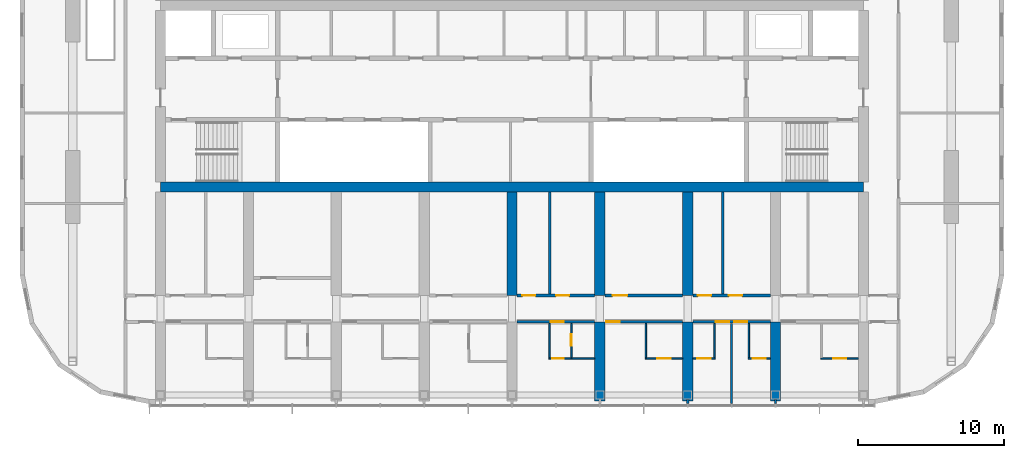
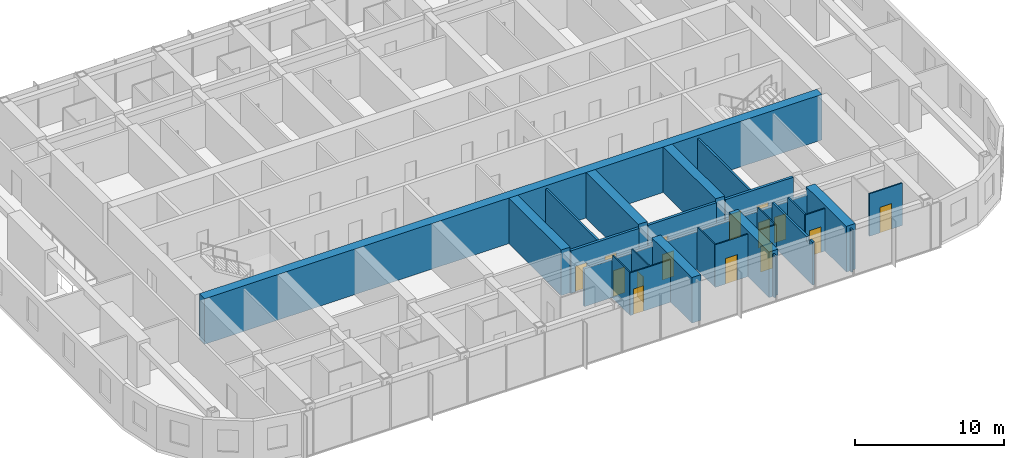
# One storey, part 12 of 23: 28 walls, 15 doors, 15 openings.
"""IFC4 building model written with IfcOpenShell, lengths in metres."""

from ifc_helpers import new_model, si_unit, direction, frame, frame_2d, origin, place, context, subcontext, project, spatial, polyline, rectangle, outline, extrude, material, layer, layer_set, type_object, element, fill, save


model = new_model("IFC4")

# Units and contexts
model_context = context("Model", 3, precision=1e-05, world=origin(), true_north=direction((0.0, 1.0)))
body_context = subcontext(model_context, "Body", "Model", "MODEL_VIEW")
ifc_project = project(units=[si_unit("LENGTHUNIT", "METRE"), si_unit("AREAUNIT", "SQUARE_METRE"), si_unit("VOLUMEUNIT", "CUBIC_METRE"), si_unit("PLANEANGLEUNIT", "RADIAN"), si_unit("MASSUNIT", "GRAM", prefix="KILO")], contexts=[model_context])

# Site, building, storey
site_placement = place(None, origin())
site = spatial("IfcSite", under=ifc_project, at=site_placement, CompositionType="ELEMENT")
building_placement = place(site_placement, origin())
building = spatial("IfcBuilding", under=site, at=building_placement, Name="Orbita Commons", CompositionType="ELEMENT")
storey_placement = place(building_placement, frame((0.0, 0.0, 220.300048828125)))
storey = spatial("IfcBuildingStorey", under=building, at=storey_placement, Name="L54", CompositionType="ELEMENT", Elevation=220.300048828125)

# Wall
ifc_material_1 = material(Name="Concrete C50/60", Category="concrete")
ifc_layer_1 = layer(ifc_material_1, 0.699951171875)
ifc_layer_set_1 = layer_set([ifc_layer_1], Name="Concrete C50/60")
wall_type_1 = type_object("IfcWallType", Name="Core wall 700 C50/60", PredefinedType="SHEAR", material=ifc_layer_set_1)
wall_1_placement = place(storey_placement, frame((18.0, 25.800048828125, 0.0), z_axis=(0.0, 0.0, 1.0), x_axis=(1.0, 0.0, 0.0)))
element("IfcWall", 1, at=wall_1_placement, inside=storey, type_object=wall_type_1, Name="Core spine wall south L54", PredefinedType="SHEAR", context=body_context, shape_type="SweptSolid", body=[
    extrude(rectangle(XDim=48.0, YDim=0.699951171875, at=frame_2d((24.0, 0.0))), origin(), (0.0, 0.0, 1.0), 3.75),
])

# Wall, opening, door
ifc_material_2 = material(Name="Concrete blockwork", Category="masonry")
ifc_layer_2 = layer(ifc_material_2, 0.199951171875)
ifc_layer_set_2 = layer_set([ifc_layer_2], Name="Concrete blockwork")
wall_type_2 = type_object("IfcWallType", Name="Corridor wall 200 blockwork", PredefinedType="SOLIDWALL", material=ifc_layer_set_2)
wall_2_placement = place(storey_placement, frame((42.35009765625, 16.60009765625, 0.0), z_axis=(0.0, 0.0, 1.0), x_axis=(1.0, 0.0, 0.0)))
wall_2 = element("IfcWall", 2, at=wall_2_placement, inside=storey, type_object=wall_type_2, Name="Corridor wall 200 blockwork L54", PredefinedType="SOLIDWALL", context=body_context, shape_type="SweptSolid", body=[
    extrude(outline(polyline([(0.0, 0.0), (5.2998046875, 0.0), (5.300048828125, 3.099853515625), (0.0, 3.099853515625), (0.0, 0.0)])), frame((0.0, 0.10009765625, 0.0), z_axis=(0.0, -1.0, 0.0), x_axis=(1.0, 0.0, 0.0)), (0.0, 0.0, 1.0), 0.199951171875),
])
opening_1_placement = place(wall_2_placement, frame((2.300048828125, 0.0, 0.0)))
opening_1 = element("IfcOpeningElement", 3, at=opening_1_placement, cuts=wall_2, Name="Opening D11", PredefinedType="OPENING", context=body_context, shape_type="SweptSolid", body=[
    extrude(rectangle(XDim=0.89990234375, YDim=2.10009765625, at=frame_2d((0.449951171875, 1.050048828125))), frame((0.0, 0.10986328125, 0.0), z_axis=(0.0, -1.0, 0.0), x_axis=(1.0, 0.0, 0.0)), (0.0, 0.0, 1.0), 0.219970703125),
])
ifc_material_3 = material(Name="Steel-faced fire door leaf", Category="steel")
door_type_1 = type_object("IfcDoorType", Name="Corridor door 20 min 900x2100", OperationType="SINGLE_SWING_LEFT", PredefinedType="DOOR", material=ifc_material_3)
door_1_placement = place(opening_1_placement, origin())
door_1 = element("IfcDoor", 4, at=door_1_placement, inside=storey, type_object=door_type_1, Name="Studio flat L54-S08 entrance door", OperationType="SINGLE_SWING_LEFT", OverallHeight=2.10009765625, OverallWidth=0.89990234375, PredefinedType="DOOR", context=body_context, shape_type="SweptSolid", body=[
    extrude(rectangle(XDim=0.89990234375, YDim=2.10009765625, at=frame_2d((0.449951171875, 1.050048828125))), frame((0.0, 0.02490234375, 0.0), z_axis=(0.0, -1.0, 0.0), x_axis=(1.0, 0.0, 0.0)), (0.0, 0.0, 1.0), 0.050048828125),
])
fill(opening_1, door_1)

wall_3_placement = place(storey_placement, frame((48.35009765625, 16.60009765625, 0.0), z_axis=(0.0, 0.0, 1.0), x_axis=(1.0, 0.0, 0.0)))
wall_3 = element("IfcWall", 5, at=wall_3_placement, inside=storey, type_object=wall_type_2, Name="Corridor wall 200 blockwork L54", PredefinedType="SOLIDWALL", context=body_context, shape_type="SweptSolid", body=[
    extrude(outline(polyline([(0.0, 0.0), (5.2998046875, 0.0), (5.300048828125, 3.099853515625), (0.0, 3.099853515625), (0.0, 0.0)])), frame((0.0, 0.10009765625, 0.0), z_axis=(0.0, -1.0, 0.0), x_axis=(1.0, 0.0, 0.0)), (0.0, 0.0, 1.0), 0.199951171875),
])
opening_2_placement = place(wall_3_placement, frame((0.10009765625, 0.0, 0.0)))
opening_2 = element("IfcOpeningElement", 6, at=opening_2_placement, cuts=wall_3, Name="Opening D11", PredefinedType="OPENING", context=body_context, shape_type="SweptSolid", body=[
    extrude(rectangle(XDim=0.89990234375, YDim=2.10009765625, at=frame_2d((0.449951171875, 1.050048828125))), frame((0.0, 0.10986328125, 0.0), z_axis=(0.0, -1.0, 0.0), x_axis=(1.0, 0.0, 0.0)), (0.0, 0.0, 1.0), 0.219970703125),
])
door_2_placement = place(opening_2_placement, origin())
door_2 = element("IfcDoor", 7, at=door_2_placement, inside=storey, type_object=door_type_1, Name="Studio apartment with kitchenette L54-S10 door", OperationType="SINGLE_SWING_LEFT", OverallHeight=2.10009765625, OverallWidth=0.89990234375, PredefinedType="DOOR", context=body_context, shape_type="SweptSolid", body=[
    extrude(rectangle(XDim=0.89990234375, YDim=2.10009765625, at=frame_2d((0.449951171875, 1.050048828125))), frame((0.0, 0.02490234375, 0.0), z_axis=(0.0, -1.0, 0.0), x_axis=(1.0, 0.0, 0.0)), (0.0, 0.0, 1.0), 0.050048828125),
])
fill(opening_2, door_2)

# Wall, openings, doors
wall_4_placement = place(storey_placement, frame((54.35009765625, 16.60009765625, 0.0), z_axis=(0.0, 0.0, 1.0), x_axis=(1.0, 0.0, 0.0)))
wall_4 = element("IfcWall", 8, at=wall_4_placement, inside=storey, type_object=wall_type_2, Name="Corridor wall 200 blockwork L54", PredefinedType="SOLIDWALL", context=body_context, shape_type="SweptSolid", body=[
    extrude(outline(polyline([(0.0, 0.0), (5.2998046875, 0.0), (5.300048828125, 3.099853515625), (0.0, 3.099853515625), (0.0, 0.0)])), frame((0.0, 0.10009765625, 0.0), z_axis=(0.0, -1.0, 0.0), x_axis=(1.0, 0.0, 0.0)), (0.0, 0.0, 1.0), 0.199951171875),
])
opening_3_placement = place(wall_4_placement, frame((1.574951171875, 0.0, 0.0)))
opening_3 = element("IfcOpeningElement", 9, at=opening_3_placement, cuts=wall_4, Name="Opening D11", PredefinedType="OPENING", context=body_context, shape_type="SweptSolid", body=[
    extrude(rectangle(XDim=0.89990234375, YDim=2.10009765625, at=frame_2d((0.449951171875, 1.050048828125))), frame((0.0, 0.10986328125, 0.0), z_axis=(0.0, -1.0, 0.0), x_axis=(1.0, 0.0, 0.0)), (0.0, 0.0, 1.0), 0.219970703125),
])
opening_4_placement = place(wall_4_placement, frame((2.824951171875, 0.0, 0.0)))
opening_4 = element("IfcOpeningElement", 10, at=opening_4_placement, cuts=wall_4, Name="Opening D11", PredefinedType="OPENING", context=body_context, shape_type="SweptSolid", body=[
    extrude(rectangle(XDim=0.89990234375, YDim=2.10009765625, at=frame_2d((0.449951171875, 1.050048828125))), frame((0.0, 0.10986328125, 0.0), z_axis=(0.0, -1.0, 0.0), x_axis=(1.0, 0.0, 0.0)), (0.0, 0.0, 1.0), 0.219970703125),
])
door_3_placement = place(opening_3_placement, origin())
door_3 = element("IfcDoor", 11, at=door_3_placement, inside=storey, type_object=door_type_1, Name="Cluster bedroom L54-S12 door", OperationType="SINGLE_SWING_LEFT", OverallHeight=2.10009765625, OverallWidth=0.89990234375, PredefinedType="DOOR", context=body_context, shape_type="SweptSolid", body=[
    extrude(rectangle(XDim=0.89990234375, YDim=2.10009765625, at=frame_2d((0.449951171875, 1.050048828125))), frame((0.0, 0.02490234375, 0.0), z_axis=(0.0, -1.0, 0.0), x_axis=(1.0, 0.0, 0.0)), (0.0, 0.0, 1.0), 0.050048828125),
])
fill(opening_3, door_3)
door_4_placement = place(opening_4_placement, origin())
door_4 = element("IfcDoor", 12, at=door_4_placement, inside=storey, type_object=door_type_1, Name="Cluster bedroom L54-S13 door", OperationType="SINGLE_SWING_LEFT", OverallHeight=2.10009765625, OverallWidth=0.89990234375, PredefinedType="DOOR", context=body_context, shape_type="SweptSolid", body=[
    extrude(rectangle(XDim=0.89990234375, YDim=2.10009765625, at=frame_2d((0.449951171875, 1.050048828125))), frame((0.0, 0.02490234375, 0.0), z_axis=(0.0, -1.0, 0.0), x_axis=(1.0, 0.0, 0.0)), (0.0, 0.0, 1.0), 0.050048828125),
])
fill(opening_4, door_4)

ifc_material_4 = material(Name="Hollow concrete block 200", Category="concrete")
ifc_layer_3 = layer(ifc_material_4, 0.199951171875)
ifc_layer_set_3 = layer_set([ifc_layer_3], Name="Hollow concrete block 200")
wall_type_3 = type_object("IfcWallType", Name="Corridor wall 200 hollow concrete block", PredefinedType="SOLIDWALL", material=ifc_layer_set_3)
wall_5_placement = place(storey_placement, frame((42.35009765625, 18.39990234375, 0.0), z_axis=(0.0, 0.0, 1.0), x_axis=(1.0, 0.0, 0.0)))
wall_5 = element("IfcWall", 13, at=wall_5_placement, inside=storey, type_object=wall_type_3, Name="Corridor wall 200 hollow concrete block L54", PredefinedType="SOLIDWALL", context=body_context, shape_type="SweptSolid", body=[
    extrude(rectangle(XDim=5.2998046875, YDim=0.199951171875, at=frame_2d((2.64990234375, 0.0))), origin(), (0.0, 0.0, 1.0), 3.5),
])
opening_5_placement = place(wall_5_placement, frame((0.35009765625, 0.0, 0.0)))
opening_5 = element("IfcOpeningElement", 14, at=opening_5_placement, cuts=wall_5, Name="Opening D11", PredefinedType="OPENING", context=body_context, shape_type="SweptSolid", body=[
    extrude(rectangle(XDim=0.89990234375, YDim=2.10009765625, at=frame_2d((0.449951171875, 1.050048828125))), frame((0.0, 0.10986328125, 0.0), z_axis=(0.0, -1.0, 0.0), x_axis=(1.0, 0.0, 0.0)), (0.0, 0.0, 1.0), 0.219970703125),
])
opening_6_placement = place(wall_5_placement, frame((2.655029296875, 0.0, 0.0)))
opening_6 = element("IfcOpeningElement", 15, at=opening_6_placement, cuts=wall_5, Name="Opening D11", PredefinedType="OPENING", context=body_context, shape_type="SweptSolid", body=[
    extrude(rectangle(XDim=0.89990234375, YDim=2.10009765625, at=frame_2d((0.449951171875, 1.050048828125))), frame((0.0, 0.10986328125, 0.0), z_axis=(0.0, -1.0, 0.0), x_axis=(1.0, 0.0, 0.0)), (0.0, 0.0, 1.0), 0.219970703125),
])
door_5_placement = place(opening_5_placement, origin())
door_5 = element("IfcDoor", 16, at=door_5_placement, inside=storey, type_object=door_type_1, Name="Equipment store L54-BDS42n door", OperationType="SINGLE_SWING_LEFT", OverallHeight=2.10009765625, OverallWidth=0.89990234375, PredefinedType="DOOR", context=body_context, shape_type="SweptSolid", body=[
    extrude(rectangle(XDim=0.89990234375, YDim=2.10009765625, at=frame_2d((0.449951171875, 1.050048828125))), frame((0.0, 0.02490234375, 0.0), z_axis=(0.0, -1.0, 0.0), x_axis=(1.0, 0.0, 0.0)), (0.0, 0.0, 1.0), 0.050048828125),
])
fill(opening_5, door_5)
door_6_placement = place(opening_6_placement, origin())
door_6 = element("IfcDoor", 17, at=door_6_placement, inside=storey, type_object=door_type_1, Name="Interview room L54-BDS42 door", OperationType="SINGLE_SWING_LEFT", OverallHeight=2.10009765625, OverallWidth=0.89990234375, PredefinedType="DOOR", context=body_context, shape_type="SweptSolid", body=[
    extrude(rectangle(XDim=0.89990234375, YDim=2.10009765625, at=frame_2d((0.449951171875, 1.050048828125))), frame((0.0, 0.02490234375, 0.0), z_axis=(0.0, -1.0, 0.0), x_axis=(1.0, 0.0, 0.0)), (0.0, 0.0, 1.0), 0.050048828125),
])
fill(opening_6, door_6)

# Wall, opening, door
wall_6_placement = place(storey_placement, frame((48.35009765625, 18.39990234375, 0.0), z_axis=(0.0, 0.0, 1.0), x_axis=(1.0, 0.0, 0.0)))
wall_6 = element("IfcWall", 18, at=wall_6_placement, inside=storey, type_object=wall_type_3, Name="Corridor wall 200 hollow concrete block L54", PredefinedType="SOLIDWALL", context=body_context, shape_type="SweptSolid", body=[
    extrude(rectangle(XDim=5.2998046875, YDim=0.199951171875, at=frame_2d((2.64990234375, 0.0))), origin(), (0.0, 0.0, 1.0), 3.5),
])
opening_7_placement = place(wall_6_placement, frame((0.52490234375, 0.0, 0.0)))
opening_7 = element("IfcOpeningElement", 19, at=opening_7_placement, cuts=wall_6, Name="Opening D06", PredefinedType="OPENING", context=body_context, shape_type="SweptSolid", body=[
    extrude(rectangle(XDim=1.0, YDim=2.10009765625, at=frame_2d((0.5, 1.050048828125))), frame((0.0, 0.10986328125, 0.0), z_axis=(0.0, -1.0, 0.0), x_axis=(1.0, 0.0, 0.0)), (0.0, 0.0, 1.0), 0.219970703125),
])
ifc_material_5 = material(Name="Steel-faced fire door leaf", Category="steel")
door_type_2 = type_object("IfcDoorType", Name="Corridor door 20 min 1000x2100", OperationType="SINGLE_SWING_LEFT", PredefinedType="DOOR", material=ifc_material_5)
door_7_placement = place(opening_7_placement, origin())
door_7 = element("IfcDoor", 20, at=door_7_placement, inside=storey, type_object=door_type_2, Name="Electrical and data room L54-BDS48 door", OperationType="SINGLE_SWING_LEFT", OverallHeight=2.10009765625, OverallWidth=1.0, PredefinedType="DOOR", context=body_context, shape_type="SweptSolid", body=[
    extrude(rectangle(XDim=1.0, YDim=2.10009765625, at=frame_2d((0.5, 1.050048828125))), frame((0.0, 0.02490234375, 0.0), z_axis=(0.0, -1.0, 0.0), x_axis=(1.0, 0.0, 0.0)), (0.0, 0.0, 1.0), 0.050048828125),
])
fill(opening_7, door_7)

# Wall, openings, doors
wall_7_placement = place(storey_placement, frame((54.35009765625, 18.39990234375, 0.0), z_axis=(0.0, 0.0, 1.0), x_axis=(1.0, 0.0, 0.0)))
wall_7 = element("IfcWall", 21, at=wall_7_placement, inside=storey, type_object=wall_type_3, Name="Corridor wall 200 hollow concrete block L54", PredefinedType="SOLIDWALL", context=body_context, shape_type="SweptSolid", body=[
    extrude(rectangle(XDim=5.2998046875, YDim=0.199951171875, at=frame_2d((2.64990234375, 0.0))), origin(), (0.0, 0.0, 1.0), 3.5),
])
opening_8_placement = place(wall_7_placement, frame((0.35009765625, 0.0, 0.0)))
opening_8 = element("IfcOpeningElement", 22, at=opening_8_placement, cuts=wall_7, Name="Opening D11", PredefinedType="OPENING", context=body_context, shape_type="SweptSolid", body=[
    extrude(rectangle(XDim=0.89990234375, YDim=2.10009765625, at=frame_2d((0.449951171875, 1.050048828125))), frame((0.0, 0.10986328125, 0.0), z_axis=(0.0, -1.0, 0.0), x_axis=(1.0, 0.0, 0.0)), (0.0, 0.0, 1.0), 0.219970703125),
])
opening_9_placement = place(wall_7_placement, frame((2.465087890625, 0.0, 0.0)))
opening_9 = element("IfcOpeningElement", 23, at=opening_9_placement, cuts=wall_7, Name="Opening D11", PredefinedType="OPENING", context=body_context, shape_type="SweptSolid", body=[
    extrude(rectangle(XDim=0.89990234375, YDim=2.10009765625, at=frame_2d((0.449951171875, 1.050048828125))), frame((0.0, 0.10986328125, 0.0), z_axis=(0.0, -1.0, 0.0), x_axis=(1.0, 0.0, 0.0)), (0.0, 0.0, 1.0), 0.219970703125),
])
door_8_placement = place(opening_8_placement, origin())
door_8 = element("IfcDoor", 24, at=door_8_placement, inside=storey, type_object=door_type_1, Name="Luggage store L54-BDS54n door", OperationType="SINGLE_SWING_LEFT", OverallHeight=2.10009765625, OverallWidth=0.89990234375, PredefinedType="DOOR", context=body_context, shape_type="SweptSolid", body=[
    extrude(rectangle(XDim=0.89990234375, YDim=2.10009765625, at=frame_2d((0.449951171875, 1.050048828125))), frame((0.0, 0.02490234375, 0.0), z_axis=(0.0, -1.0, 0.0), x_axis=(1.0, 0.0, 0.0)), (0.0, 0.0, 1.0), 0.050048828125),
])
fill(opening_8, door_8)
door_9_placement = place(opening_9_placement, origin())
door_9 = element("IfcDoor", 25, at=door_9_placement, inside=storey, type_object=door_type_1, Name="Ventilation plant room south L54-BDS54 door", OperationType="SINGLE_SWING_LEFT", OverallHeight=2.10009765625, OverallWidth=0.89990234375, PredefinedType="DOOR", context=body_context, shape_type="SweptSolid", body=[
    extrude(rectangle(XDim=0.89990234375, YDim=2.10009765625, at=frame_2d((0.449951171875, 1.050048828125))), frame((0.0, 0.02490234375, 0.0), z_axis=(0.0, -1.0, 0.0), x_axis=(1.0, 0.0, 0.0)), (0.0, 0.0, 1.0), 0.050048828125),
])
fill(opening_9, door_9)

# Walls
ifc_material_6 = material(Name="Concrete C50/60", Category="concrete")
ifc_layer_4 = layer(ifc_material_6, 0.699951171875)
ifc_layer_set_4 = layer_set([ifc_layer_4], Name="Concrete C50/60")
wall_type_4 = type_object("IfcWallType", Name="Cross wall 700 C50/60", PredefinedType="SHEAR", material=ifc_layer_set_4)
wall_8_placement = place(storey_placement, frame((42.0, 18.39990234375, 0.0), z_axis=(0.0, 0.0, 1.0), x_axis=(0.0, 1.0, 0.0)))
element("IfcWall", 26, at=wall_8_placement, inside=storey, type_object=wall_type_4, Name="Cross wall 8 south inner L54", PredefinedType="SHEAR", context=body_context, shape_type="SweptSolid", body=[
    extrude(rectangle(XDim=7.050048828125, YDim=0.699951171875, at=frame_2d((3.52490234375, 0.0))), origin(), (0.0, 0.0, 1.0), 3.75),
])
wall_9_placement = place(storey_placement, frame((48.0, 11.199951171875, 0.0), z_axis=(0.0, 0.0, 1.0), x_axis=(0.0, 1.0, 0.0)))
element("IfcWall", 27, at=wall_9_placement, inside=storey, type_object=wall_type_4, Name="Cross wall 9 south outer L54", PredefinedType="SHEAR", context=body_context, shape_type="SweptSolid", body=[
    extrude(rectangle(XDim=5.400146484375, YDim=0.699951171875, at=frame_2d((2.7001953125, 0.0))), origin(), (0.0, 0.0, 1.0), 3.75),
])
wall_10_placement = place(storey_placement, frame((48.0, 18.39990234375, 0.0), z_axis=(0.0, 0.0, 1.0), x_axis=(0.0, 1.0, 0.0)))
element("IfcWall", 28, at=wall_10_placement, inside=storey, type_object=wall_type_4, Name="Cross wall 9 south inner L54", PredefinedType="SHEAR", context=body_context, shape_type="SweptSolid", body=[
    extrude(rectangle(XDim=7.050048828125, YDim=0.699951171875, at=frame_2d((3.52490234375, 0.0))), origin(), (0.0, 0.0, 1.0), 3.75),
])
wall_11_placement = place(storey_placement, frame((54.0, 11.199951171875, 0.0), z_axis=(0.0, 0.0, 1.0), x_axis=(0.0, 1.0, 0.0)))
element("IfcWall", 29, at=wall_11_placement, inside=storey, type_object=wall_type_4, Name="Cross wall 10 south outer L54", PredefinedType="SHEAR", context=body_context, shape_type="SweptSolid", body=[
    extrude(rectangle(XDim=5.400146484375, YDim=0.699951171875, at=frame_2d((2.7001953125, 0.0))), origin(), (0.0, 0.0, 1.0), 3.75),
])
wall_12_placement = place(storey_placement, frame((54.0, 18.39990234375, 0.0), z_axis=(0.0, 0.0, 1.0), x_axis=(0.0, 1.0, 0.0)))
element("IfcWall", 30, at=wall_12_placement, inside=storey, type_object=wall_type_4, Name="Cross wall 10 south inner L54", PredefinedType="SHEAR", context=body_context, shape_type="SweptSolid", body=[
    extrude(rectangle(XDim=7.050048828125, YDim=0.699951171875, at=frame_2d((3.52490234375, 0.0))), origin(), (0.0, 0.0, 1.0), 3.75),
])
wall_13_placement = place(storey_placement, frame((60.0, 11.199951171875, 0.0), z_axis=(0.0, 0.0, 1.0), x_axis=(0.0, 1.0, 0.0)))
element("IfcWall", 31, at=wall_13_placement, inside=storey, type_object=wall_type_4, Name="Cross wall 11 south outer L54", PredefinedType="SHEAR", context=body_context, shape_type="SweptSolid", body=[
    extrude(rectangle(XDim=5.400146484375, YDim=0.699951171875, at=frame_2d((2.7001953125, 0.0))), origin(), (0.0, 0.0, 1.0), 3.75),
])

# Wall, opening, door
ifc_material_7 = material(Name="Moisture-resistant plasterboard on steel studs", Category="steel")
ifc_layer_5 = layer(ifc_material_7, 0.10009765625)
ifc_layer_set_5 = layer_set([ifc_layer_5], Name="Moisture-resistant plasterboard on steel studs")
wall_type_5 = type_object("IfcWallType", Name="En-suite partition 100", PredefinedType="PARTITIONING", material=ifc_layer_set_5)
wall_14_placement = place(storey_placement, frame((47.64990234375, 14.10009765625, 0.0), z_axis=(0.0, 0.0, 1.0), x_axis=(-1.0, 0.0, 0.0)))
wall_14 = element("IfcWall", 32, at=wall_14_placement, inside=storey, type_object=wall_type_5, Name="En-suite partition 100 L54", PredefinedType="PARTITIONING", context=body_context, shape_type="SweptSolid", body=[
    extrude(rectangle(XDim=3.14990234375, YDim=0.10009765625, at=frame_2d((1.574951171875, 0.0))), origin(), (0.0, 0.0, 1.0), 3.5),
])
opening_10_placement = place(wall_14_placement, frame((2.10009765625, 0.0, 0.0)))
opening_10 = element("IfcOpeningElement", 33, at=opening_10_placement, cuts=wall_14, Name="Opening D16", PredefinedType="OPENING", context=body_context, shape_type="SweptSolid", body=[
    extrude(rectangle(XDim=0.800048828125, YDim=2.10009765625, at=frame_2d((0.39990234375, 1.050048828125))), frame((0.0, 0.06005859375, 0.0), z_axis=(0.0, -1.0, 0.0), x_axis=(1.0, 0.0, 0.0)), (0.0, 0.0, 1.0), 0.1201171875),
])
ifc_material_8 = material(Name="Laminated timber door leaf", Category="wood")
door_type_3 = type_object("IfcDoorType", Name="En-suite door 800x2100", OperationType="SINGLE_SWING_RIGHT", PredefinedType="DOOR", material=ifc_material_8)
door_10_placement = place(opening_10_placement, origin())
door_10 = element("IfcDoor", 34, at=door_10_placement, inside=storey, type_object=door_type_3, Name="Studio flat L54-S08 door", OperationType="SINGLE_SWING_RIGHT", OverallHeight=2.10009765625, OverallWidth=0.800048828125, PredefinedType="DOOR", context=body_context, shape_type="SweptSolid", body=[
    extrude(rectangle(XDim=0.800048828125, YDim=2.10009765625, at=frame_2d((0.39990234375, 1.050048828125))), frame((0.0, 0.02490234375, 0.0), z_axis=(0.0, -1.0, 0.0), x_axis=(1.0, 0.0, 0.0)), (0.0, 0.0, 1.0), 0.050048828125),
])
fill(opening_10, door_10)

# Wall
wall_15_placement = place(storey_placement, frame((44.550048828125, 14.14990234375, 0.0), z_axis=(0.0, 0.0, 1.0), x_axis=(0.0, 1.0, 0.0)))
element("IfcWall", 35, at=wall_15_placement, inside=storey, type_object=wall_type_5, Name="En-suite partition 100 L54", PredefinedType="PARTITIONING", context=body_context, shape_type="SweptSolid", body=[
    extrude(outline(polyline([(0.0, 0.0), (2.35009765625, 0.0), (2.35009765625, 3.099853515625), (2.302001953125, 3.099853515625), (2.300048828125, 3.5), (0.0, 3.5), (0.0, 0.0)])), frame((0.0, 0.050048828125, 0.0), z_axis=(0.0, -1.0, 0.0), x_axis=(1.0, 0.0, 0.0)), (0.0, 0.0, 1.0), 0.10009765625),
])

# Wall, opening, door
wall_16_placement = place(storey_placement, frame((46.050048828125, 14.14990234375, 0.0), z_axis=(0.0, 0.0, 1.0), x_axis=(0.0, 1.0, 0.0)))
wall_16 = element("IfcWall", 36, at=wall_16_placement, inside=storey, type_object=wall_type_5, Name="En-suite partition 100 L54", PredefinedType="PARTITIONING", context=body_context, shape_type="SweptSolid", body=[
    extrude(outline(polyline([(0.0, 0.0), (2.35009765625, 0.0), (2.35009765625, 3.099853515625), (2.302001953125, 3.099853515625), (2.300048828125, 3.5), (0.0, 3.5), (0.0, 0.0)])), frame((0.0, 0.050048828125, 0.0), z_axis=(0.0, -1.0, 0.0), x_axis=(1.0, 0.0, 0.0)), (0.0, 0.0, 1.0), 0.10009765625),
])
opening_11_placement = place(wall_16_placement, frame((0.800048828125, 0.0, 0.0)))
opening_11 = element("IfcOpeningElement", 37, at=opening_11_placement, cuts=wall_16, Name="Opening D16", PredefinedType="OPENING", context=body_context, shape_type="SweptSolid", body=[
    extrude(rectangle(XDim=0.800048828125, YDim=2.10009765625, at=frame_2d((0.39990234375, 1.050048828125))), frame((0.0, 0.06005859375, 0.0), z_axis=(0.0, -1.0, 0.0), x_axis=(1.0, 0.0, 0.0)), (0.0, 0.0, 1.0), 0.1201171875),
])
door_11_placement = place(opening_11_placement, origin())
door_11 = element("IfcDoor", 38, at=door_11_placement, inside=storey, type_object=door_type_3, Name="Studio flat shower room L54-S08 door", OperationType="SINGLE_SWING_RIGHT", OverallHeight=2.10009765625, OverallWidth=0.800048828125, PredefinedType="DOOR", context=body_context, shape_type="SweptSolid", body=[
    extrude(rectangle(XDim=0.800048828125, YDim=2.10009765625, at=frame_2d((0.39990234375, 1.050048828125))), frame((0.0, 0.02490234375, 0.0), z_axis=(0.0, -1.0, 0.0), x_axis=(1.0, 0.0, 0.0)), (0.0, 0.0, 1.0), 0.050048828125),
])
fill(opening_11, door_11)

wall_17_placement = place(storey_placement, frame((53.64990234375, 14.10009765625, 0.0), z_axis=(0.0, 0.0, 1.0), x_axis=(-1.0, 0.0, 0.0)))
wall_17 = element("IfcWall", 39, at=wall_17_placement, inside=storey, type_object=wall_type_5, Name="En-suite partition 100 L54", PredefinedType="PARTITIONING", context=body_context, shape_type="SweptSolid", body=[
    extrude(rectangle(XDim=2.5498046875, YDim=0.10009765625, at=frame_2d((1.27490234375, 0.0))), origin(), (0.0, 0.0, 1.0), 3.5),
])
opening_12_placement = place(wall_17_placement, frame((0.824951171875, 0.0, 0.0)))
opening_12 = element("IfcOpeningElement", 40, at=opening_12_placement, cuts=wall_17, Name="Opening D09", PredefinedType="OPENING", context=body_context, shape_type="SweptSolid", body=[
    extrude(rectangle(XDim=0.89990234375, YDim=2.10009765625, at=frame_2d((0.449951171875, 1.050048828125))), frame((0.0, 0.06005859375, 0.0), z_axis=(0.0, -1.0, 0.0), x_axis=(1.0, 0.0, 0.0)), (0.0, 0.0, 1.0), 0.1201171875),
])
ifc_material_9 = material(Name="Laminated timber door leaf", Category="wood")
door_type_4 = type_object("IfcDoorType", Name="En-suite door 900x2100", OperationType="SINGLE_SWING_RIGHT", PredefinedType="DOOR", material=ifc_material_9)
door_12_placement = place(opening_12_placement, origin())
door_12 = element("IfcDoor", 41, at=door_12_placement, inside=storey, type_object=door_type_4, Name="En-suite L54-S10 door", OperationType="SINGLE_SWING_RIGHT", OverallHeight=2.10009765625, OverallWidth=0.89990234375, PredefinedType="DOOR", context=body_context, shape_type="SweptSolid", body=[
    extrude(rectangle(XDim=0.89990234375, YDim=2.10009765625, at=frame_2d((0.449951171875, 1.050048828125))), frame((0.0, 0.02490234375, 0.0), z_axis=(0.0, -1.0, 0.0), x_axis=(1.0, 0.0, 0.0)), (0.0, 0.0, 1.0), 0.050048828125),
])
fill(opening_12, door_12)

# Wall
wall_18_placement = place(storey_placement, frame((51.14990234375, 14.14990234375, 0.0), z_axis=(0.0, 0.0, 1.0), x_axis=(0.0, 1.0, 0.0)))
element("IfcWall", 42, at=wall_18_placement, inside=storey, type_object=wall_type_5, Name="En-suite partition 100 L54", PredefinedType="PARTITIONING", context=body_context, shape_type="SweptSolid", body=[
    extrude(outline(polyline([(0.0, 0.0), (2.35009765625, 0.0), (2.35009765625, 3.099853515625), (2.302001953125, 3.099853515625), (2.300048828125, 3.5), (0.0, 3.5), (0.0, 0.0)])), frame((0.0, 0.050048828125, 0.0), z_axis=(0.0, -1.0, 0.0), x_axis=(1.0, 0.0, 0.0)), (0.0, 0.0, 1.0), 0.10009765625),
])

# Wall, opening, door
wall_19_placement = place(storey_placement, frame((55.875, 14.10009765625, 0.0), z_axis=(0.0, 0.0, 1.0), x_axis=(-1.0, 0.0, 0.0)))
wall_19 = element("IfcWall", 43, at=wall_19_placement, inside=storey, type_object=wall_type_5, Name="En-suite partition 100 L54", PredefinedType="PARTITIONING", context=body_context, shape_type="SweptSolid", body=[
    extrude(rectangle(XDim=1.52490234375, YDim=0.10009765625, at=frame_2d((0.762451171875, 0.0))), origin(), (0.0, 0.0, 1.0), 3.5),
])
opening_13_placement = place(wall_19_placement, frame((0.3125, 0.0, 0.0)))
opening_13 = element("IfcOpeningElement", 44, at=opening_13_placement, cuts=wall_19, Name="Opening D09", PredefinedType="OPENING", context=body_context, shape_type="SweptSolid", body=[
    extrude(rectangle(XDim=0.89990234375, YDim=2.10009765625, at=frame_2d((0.449951171875, 1.050048828125))), frame((0.0, 0.06005859375, 0.0), z_axis=(0.0, -1.0, 0.0), x_axis=(1.0, 0.0, 0.0)), (0.0, 0.0, 1.0), 0.1201171875),
])
door_13_placement = place(opening_13_placement, origin())
door_13 = element("IfcDoor", 45, at=door_13_placement, inside=storey, type_object=door_type_4, Name="En-suite L54-S12 door", OperationType="SINGLE_SWING_RIGHT", OverallHeight=2.10009765625, OverallWidth=0.89990234375, PredefinedType="DOOR", context=body_context, shape_type="SweptSolid", body=[
    extrude(rectangle(XDim=0.89990234375, YDim=2.10009765625, at=frame_2d((0.449951171875, 1.050048828125))), frame((0.0, 0.02490234375, 0.0), z_axis=(0.0, -1.0, 0.0), x_axis=(1.0, 0.0, 0.0)), (0.0, 0.0, 1.0), 0.050048828125),
])
fill(opening_13, door_13)

# Wall
wall_20_placement = place(storey_placement, frame((55.824951171875, 14.14990234375, 0.0), z_axis=(0.0, 0.0, 1.0), x_axis=(0.0, 1.0, 0.0)))
element("IfcWall", 46, at=wall_20_placement, inside=storey, type_object=wall_type_5, Name="En-suite partition 100 L54", PredefinedType="PARTITIONING", context=body_context, shape_type="SweptSolid", body=[
    extrude(outline(polyline([(0.0, 0.0), (2.35009765625, 0.0), (2.35009765625, 3.099853515625), (2.302001953125, 3.099853515625), (2.300048828125, 3.5), (0.0, 3.5), (0.0, 0.0)])), frame((0.0, 0.050048828125, 0.0), z_axis=(0.0, -1.0, 0.0), x_axis=(1.0, 0.0, 0.0)), (0.0, 0.0, 1.0), 0.10009765625),
])

# Wall, opening, door
wall_21_placement = place(storey_placement, frame((59.64990234375, 14.10009765625, 0.0), z_axis=(0.0, 0.0, 1.0), x_axis=(-1.0, 0.0, 0.0)))
wall_21 = element("IfcWall", 47, at=wall_21_placement, inside=storey, type_object=wall_type_5, Name="En-suite partition 100 L54", PredefinedType="PARTITIONING", context=body_context, shape_type="SweptSolid", body=[
    extrude(rectangle(XDim=1.52490234375, YDim=0.10009765625, at=frame_2d((0.762451171875, 0.0))), origin(), (0.0, 0.0, 1.0), 3.5),
])
opening_14_placement = place(wall_21_placement, frame((0.3125, 0.0, 0.0)))
opening_14 = element("IfcOpeningElement", 48, at=opening_14_placement, cuts=wall_21, Name="Opening D09", PredefinedType="OPENING", context=body_context, shape_type="SweptSolid", body=[
    extrude(rectangle(XDim=0.89990234375, YDim=2.10009765625, at=frame_2d((0.449951171875, 1.050048828125))), frame((0.0, 0.06005859375, 0.0), z_axis=(0.0, -1.0, 0.0), x_axis=(1.0, 0.0, 0.0)), (0.0, 0.0, 1.0), 0.1201171875),
])
door_14_placement = place(opening_14_placement, origin())
door_14 = element("IfcDoor", 49, at=door_14_placement, inside=storey, type_object=door_type_4, Name="En-suite L54-S13 door", OperationType="SINGLE_SWING_RIGHT", OverallHeight=2.10009765625, OverallWidth=0.89990234375, PredefinedType="DOOR", context=body_context, shape_type="SweptSolid", body=[
    extrude(rectangle(XDim=0.89990234375, YDim=2.10009765625, at=frame_2d((0.449951171875, 1.050048828125))), frame((0.0, 0.02490234375, 0.0), z_axis=(0.0, -1.0, 0.0), x_axis=(1.0, 0.0, 0.0)), (0.0, 0.0, 1.0), 0.050048828125),
])
fill(opening_14, door_14)

# Wall
wall_22_placement = place(storey_placement, frame((58.175048828125, 14.14990234375, 0.0), z_axis=(0.0, 0.0, 1.0), x_axis=(0.0, 1.0, 0.0)))
element("IfcWall", 50, at=wall_22_placement, inside=storey, type_object=wall_type_5, Name="En-suite partition 100 L54", PredefinedType="PARTITIONING", context=body_context, shape_type="SweptSolid", body=[
    extrude(outline(polyline([(0.0, 0.0), (2.35009765625, 0.0), (2.35009765625, 3.099853515625), (2.302001953125, 3.099853515625), (2.300048828125, 3.5), (0.0, 3.5), (0.0, 0.0)])), frame((0.0, 0.050048828125, 0.0), z_axis=(0.0, -1.0, 0.0), x_axis=(1.0, 0.0, 0.0)), (0.0, 0.0, 1.0), 0.10009765625),
])

# Wall, opening, door
wall_23_placement = place(storey_placement, frame((65.64990234375, 14.10009765625, 0.0), z_axis=(0.0, 0.0, 1.0), x_axis=(-1.0, 0.0, 0.0)))
wall_23 = element("IfcWall", 51, at=wall_23_placement, inside=storey, type_object=wall_type_5, Name="En-suite partition 100 L54", PredefinedType="PARTITIONING", context=body_context, shape_type="SweptSolid", body=[
    extrude(rectangle(XDim=2.5498046875, YDim=0.10009765625, at=frame_2d((1.27490234375, 0.0))), origin(), (0.0, 0.0, 1.0), 3.5),
])
opening_15_placement = place(wall_23_placement, frame((0.824951171875, 0.0, 0.0)))
opening_15 = element("IfcOpeningElement", 52, at=opening_15_placement, cuts=wall_23, Name="Opening D09", PredefinedType="OPENING", context=body_context, shape_type="SweptSolid", body=[
    extrude(rectangle(XDim=0.89990234375, YDim=2.10009765625, at=frame_2d((0.449951171875, 1.050048828125))), frame((0.0, 0.06005859375, 0.0), z_axis=(0.0, -1.0, 0.0), x_axis=(1.0, 0.0, 0.0)), (0.0, 0.0, 1.0), 0.1201171875),
])
door_15_placement = place(opening_15_placement, origin())
door_15 = element("IfcDoor", 53, at=door_15_placement, inside=storey, type_object=door_type_4, Name="En-suite L54-S14 door", OperationType="SINGLE_SWING_RIGHT", OverallHeight=2.10009765625, OverallWidth=0.89990234375, PredefinedType="DOOR", context=body_context, shape_type="SweptSolid", body=[
    extrude(rectangle(XDim=0.89990234375, YDim=2.10009765625, at=frame_2d((0.449951171875, 1.050048828125))), frame((0.0, 0.02490234375, 0.0), z_axis=(0.0, -1.0, 0.0), x_axis=(1.0, 0.0, 0.0)), (0.0, 0.0, 1.0), 0.050048828125),
])
fill(opening_15, door_15)

# Walls
ifc_material_10 = material(Name="Gypsum plasterboard on steel studs", Category="steel")
ifc_layer_6 = layer(ifc_material_10, 0.14990234375)
ifc_layer_set_6 = layer_set([ifc_layer_6], Name="Gypsum plasterboard on steel studs")
wall_type_6 = type_object("IfcWallType", Name="Partition 150 plasterboard", PredefinedType="PARTITIONING", material=ifc_layer_set_6)
for number, where, z_axis, x_axis, name in (
    (54, (44.580078125, 18.5, 0.0), (0.0, 0.0, 1.0), (0.0, 1.0, 0.0), "Partition 150 plasterboard L54"),
    (55, (56.389892578125, 18.5, 0.0), (0.0, 0.0, 1.0), (0.0, 1.0, 0.0), "Partition 150 plasterboard L54"),
):
    element("IfcWall", number, at=place(storey_placement, frame(where, z_axis=z_axis, x_axis=x_axis)), inside=storey, type_object=wall_type_6, Name=name, PredefinedType="PARTITIONING", context=body_context, shape_type="SweptSolid", body=[
        extrude(rectangle(XDim=6.949951171875, YDim=0.14990234375, at=frame_2d((3.47509765625, 0.0))), origin(), (0.0, 0.0, 1.0), 3.5),
    ])
for number, where, z_axis, x_axis, name in (
    (56, (54.0, 11.300048828125, 0.0), (0.0, 0.0, 1.0), (0.0, -1.0, 0.0), "Partition 150 plasterboard L54"),
    (57, (60.0, 11.300048828125, 0.0), (0.0, 0.0, 1.0), (0.0, -1.0, 0.0), "Partition 150 plasterboard L54"),
):
    element("IfcWall", number, at=place(storey_placement, frame(where, z_axis=z_axis, x_axis=x_axis)), inside=storey, type_object=wall_type_6, Name=name, PredefinedType="PARTITIONING", context=body_context, shape_type="SweptSolid", body=[
        extrude(rectangle(XDim=0.2900390625, YDim=0.14990234375, at=frame_2d((0.14501953125, 0.0))), origin(), (0.0, 0.0, 1.0), 3.5),
    ])
ifc_material_11 = material(Name="Gypsum plasterboard on steel studs", Category="steel")
ifc_layer_7 = layer(ifc_material_11, 0.14990234375)
ifc_layer_set_7 = layer_set([ifc_layer_7], Name="Gypsum plasterboard on steel studs")
wall_type_7 = type_object("IfcWallType", Name="Party wall 150 plasterboard", PredefinedType="PARTITIONING", material=ifc_layer_set_7)
wall_24_placement = place(storey_placement, frame((57.0, 11.010009765625, 0.0), z_axis=(0.0, 0.0, 1.0), x_axis=(0.0, 1.0, 0.0)))
element("IfcWall", 58, at=wall_24_placement, inside=storey, type_object=wall_type_7, Name="Party wall 150 plasterboard L54", PredefinedType="PARTITIONING", context=body_context, shape_type="SweptSolid", body=[
    extrude(outline(polyline([(0.0, 0.0), (5.489990234375, 0.0), (5.489990234375, 3.099853515625), (5.44189453125, 3.099853515625), (5.43994140625, 3.5), (0.7919921875, 3.5), (0.7900390625, 3.099853515625), (0.39208984375, 3.099853515625), (0.389892578125, 3.5), (0.0, 3.5), (0.0, 0.0)])), frame((0.0, 0.074951171875, 0.0), z_axis=(0.0, -1.0, 0.0), x_axis=(1.0, 0.0, 0.0)), (0.0, 0.0, 1.0), 0.14990234375),
])

save(model, "model.ifc")
